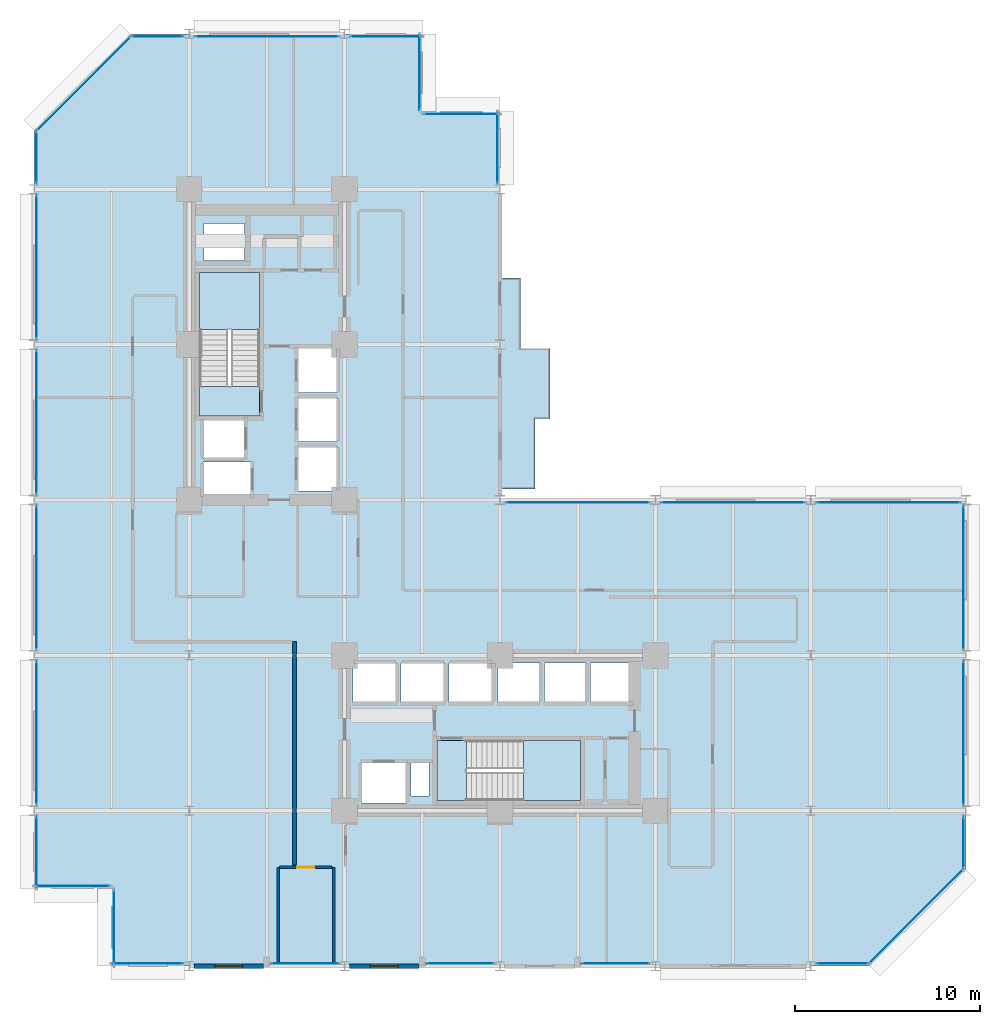
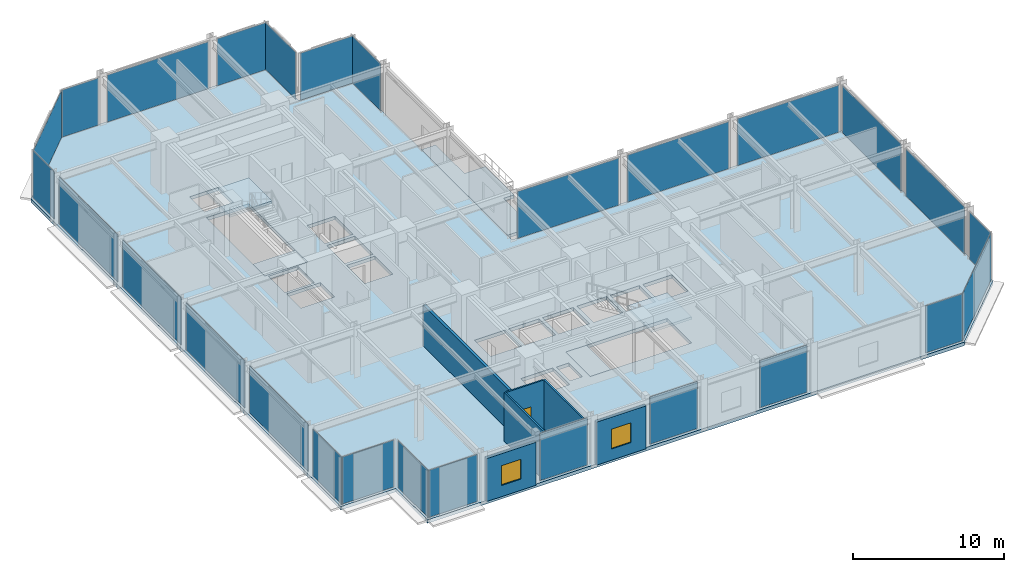
# One storey, part 19 of 25: 27 plates, 6 slabs, 6 walls, 2 windows, 1 door, 3 openings, 29 elements without a shape of their own.
"""IFC4 building model written with IfcOpenShell, lengths in metres."""

from ifc_helpers import new_model, si_unit, direction, frame, frame_2d, origin, origin_2d, place, context, subcontext, project, spatial, polyline, rectangle, outline, extrude, material, layer, layer_set, type_object, element, fill, aggregate, save


model = new_model("IFC4")

# Units and contexts
model_context = context("Model", 3, precision=1e-05, world=origin(), true_north=direction((0.0, 1.0)))
body_context = subcontext(model_context, "Body", "Model", "MODEL_VIEW")
ifc_project = project(units=[si_unit("LENGTHUNIT", "METRE"), si_unit("AREAUNIT", "SQUARE_METRE"), si_unit("VOLUMEUNIT", "CUBIC_METRE"), si_unit("PLANEANGLEUNIT", "RADIAN"), si_unit("MASSUNIT", "GRAM", prefix="KILO")], contexts=[model_context])

# Site, building, storey
site_placement = place(None, origin())
site = spatial("IfcSite", under=ifc_project, at=site_placement, CompositionType="ELEMENT")
building_placement = place(site_placement, origin())
building = spatial("IfcBuilding", under=site, at=building_placement, Name="Nerrivon Quay Data Exchange", CompositionType="ELEMENT")
storey_placement = place(building_placement, frame((0.0, 0.0, 54.199951171875)))
storey = spatial("IfcBuildingStorey", under=building, at=storey_placement, Name="L12", CompositionType="ELEMENT", Elevation=54.199951171875)

# Curtain wall, plate
ifc_material_1 = material(Name="Anodised aluminium 6063-T6", Category="aluminium")
ifc_layer_1 = layer(ifc_material_1, 0.219970703125)
ifc_layer_set_1 = layer_set([ifc_layer_1], Name="Anodised aluminium 6063-T6")
curtain_wall_type = type_object("IfcCurtainWallType", Name="CW-SYS-01", PredefinedType="NOTDEFINED", material=ifc_layer_set_1)
curtain_wall_1_placement = place(storey_placement, origin())
curtain_wall_1 = element("IfcCurtainWall", 1, at=curtain_wall_1_placement, inside=storey, type_object=curtain_wall_type, Name="L12 Unitised Curtain Wall 1", PredefinedType="NOTDEFINED")
ifc_material_2 = material(Name="Double-glazed low-E solar control glass", Category="glass")
ifc_layer_2 = layer(ifc_material_2, 0.028076171875)
ifc_layer_set_2 = layer_set([ifc_layer_2], Name="Double-glazed low-E solar control glass")
plate_type = type_object("IfcPlateType", Name="CWP-GLZ-28", PredefinedType="CURTAIN_PANEL", material=ifc_layer_set_2)
plate_1_placement = place(storey_placement, frame((47.700927734375, 2.698974609375, 0.065185546875), z_axis=(0.0, 0.0, 1.0), x_axis=(-0.707106781187, -0.707106781187, 0.0)))
plate_1 = element("IfcPlate", 2, at=plate_1_placement, type_object=plate_type, Name="CW01 panel 1.1", PredefinedType="CURTAIN_PANEL", context=body_context, shape_type="SweptSolid", body=[
    extrude(rectangle(XDim=7.203857421875, YDim=0.028076171875, at=origin_2d()), origin(), (0.0, 0.0, 1.0), 3.794921875),
])
aggregate(curtain_wall_1, [plate_1])

curtain_wall_2_placement = place(storey_placement, origin())
curtain_wall_2 = element("IfcCurtainWall", 3, at=curtain_wall_2_placement, inside=storey, type_object=curtain_wall_type, Name="L12 Unitised Curtain Wall 2", PredefinedType="NOTDEFINED")
plate_2_placement = place(storey_placement, frame((43.72509765625, 0.139892578125, 0.065185546875), z_axis=(0.0, 0.0, 1.0), x_axis=(-1.0, 0.0, 0.0)))
plate_2 = element("IfcPlate", 4, at=plate_2_placement, type_object=plate_type, Name="CW01 panel 1.1", PredefinedType="CURTAIN_PANEL", context=body_context, shape_type="SweptSolid", body=[
    extrude(rectangle(XDim=2.800048828125, YDim=0.028076171875, at=origin_2d()), origin(), (0.0, 0.0, 1.0), 3.794921875),
])
aggregate(curtain_wall_2, [plate_2])

curtain_wall_3_placement = place(storey_placement, origin())
curtain_wall_3 = element("IfcCurtainWall", 5, at=curtain_wall_3_placement, inside=storey, type_object=curtain_wall_type, Name="L12 Unitised Curtain Wall 4", PredefinedType="NOTDEFINED")
plate_3_placement = place(storey_placement, frame((31.46240234375, 0.139892578125, 0.065185546875), z_axis=(0.0, 0.0, 1.0), x_axis=(-1.0, 0.0, 0.0)))
plate_3 = element("IfcPlate", 6, at=plate_3_placement, type_object=plate_type, Name="CW01 panel 1.1", PredefinedType="CURTAIN_PANEL", context=body_context, shape_type="SweptSolid", body=[
    extrude(rectangle(XDim=3.625, YDim=0.028076171875, at=origin_2d()), origin(), (0.0, 0.0, 1.0), 3.794921875),
])
aggregate(curtain_wall_3, [plate_3])

curtain_wall_4_placement = place(storey_placement, origin())
curtain_wall_4 = element("IfcCurtainWall", 7, at=curtain_wall_4_placement, inside=storey, type_object=curtain_wall_type, Name="L12 Unitised Curtain Wall 6", PredefinedType="NOTDEFINED")
plate_4_placement = place(storey_placement, frame((23.0625, 0.139892578125, 0.065185546875), z_axis=(0.0, 0.0, 1.0), x_axis=(-1.0, 0.0, 0.0)))
plate_4 = element("IfcPlate", 8, at=plate_4_placement, type_object=plate_type, Name="CW01 panel 1.1", PredefinedType="CURTAIN_PANEL", context=body_context, shape_type="SweptSolid", body=[
    extrude(rectangle(XDim=3.625, YDim=0.028076171875, at=origin_2d()), origin(), (0.0, 0.0, 1.0), 3.794921875),
])
aggregate(curtain_wall_4, [plate_4])

curtain_wall_5_placement = place(storey_placement, origin())
curtain_wall_5 = element("IfcCurtainWall", 9, at=curtain_wall_5_placement, inside=storey, type_object=curtain_wall_type, Name="L12 Unitised Curtain Wall 8", PredefinedType="NOTDEFINED")
plate_5_placement = place(storey_placement, frame((14.66259765625, 0.139892578125, 0.065185546875), z_axis=(0.0, 0.0, 1.0), x_axis=(-1.0, 0.0, 0.0)))
plate_5 = element("IfcPlate", 10, at=plate_5_placement, type_object=plate_type, Name="CW01 panel 1.1", PredefinedType="CURTAIN_PANEL", context=body_context, shape_type="SweptSolid", body=[
    extrude(rectangle(XDim=3.625, YDim=0.028076171875, at=origin_2d()), origin(), (0.0, 0.0, 1.0), 3.794921875),
])
aggregate(curtain_wall_5, [plate_5])

curtain_wall_6_placement = place(storey_placement, origin())
curtain_wall_6 = element("IfcCurtainWall", 11, at=curtain_wall_6_placement, inside=storey, type_object=curtain_wall_type, Name="L12 Unitised Curtain Wall 10", PredefinedType="NOTDEFINED")
plate_6_placement = place(storey_placement, frame((6.175048828125, 0.139892578125, 0.065185546875), z_axis=(0.0, 0.0, 1.0), x_axis=(-1.0, 0.0, 0.0)))
plate_6 = element("IfcPlate", 12, at=plate_6_placement, type_object=plate_type, Name="CW01 panel 1.1", PredefinedType="CURTAIN_PANEL", context=body_context, shape_type="SweptSolid", body=[
    extrude(rectangle(XDim=3.800048828125, YDim=0.028076171875, at=origin_2d()), origin(), (0.0, 0.0, 1.0), 3.794921875),
])
aggregate(curtain_wall_6, [plate_6])

curtain_wall_7_placement = place(storey_placement, origin())
curtain_wall_7 = element("IfcCurtainWall", 13, at=curtain_wall_7_placement, inside=storey, type_object=curtain_wall_type, Name="L12 Unitised Curtain Wall 11", PredefinedType="NOTDEFINED")
plate_7_placement = place(storey_placement, frame((4.340087890625, 2.10009765625, 0.065185546875), z_axis=(0.0, 0.0, 1.0), x_axis=(0.0, 1.0, 0.0)))
plate_7 = element("IfcPlate", 14, at=plate_7_placement, type_object=plate_type, Name="CW01 panel 1.1", PredefinedType="CURTAIN_PANEL", context=body_context, shape_type="SweptSolid", body=[
    extrude(rectangle(XDim=4.050048828125, YDim=0.028076171875, at=origin_2d()), origin(), (0.0, 0.0, 1.0), 3.794921875),
])
aggregate(curtain_wall_7, [plate_7])

curtain_wall_8_placement = place(storey_placement, origin())
curtain_wall_8 = element("IfcCurtainWall", 15, at=curtain_wall_8_placement, inside=storey, type_object=curtain_wall_type, Name="L12 Unitised Curtain Wall 12", PredefinedType="NOTDEFINED")
plate_8_placement = place(storey_placement, frame((2.10009765625, 4.340087890625, 0.065185546875), z_axis=(0.0, 0.0, 1.0), x_axis=(-1.0, 0.0, 0.0)))
plate_8 = element("IfcPlate", 16, at=plate_8_placement, type_object=plate_type, Name="CW01 panel 1.1", PredefinedType="CURTAIN_PANEL", context=body_context, shape_type="SweptSolid", body=[
    extrude(rectangle(XDim=4.050048828125, YDim=0.028076171875, at=origin_2d()), origin(), (0.0, 0.0, 1.0), 3.794921875),
])
aggregate(curtain_wall_8, [plate_8])

curtain_wall_9_placement = place(storey_placement, origin())
curtain_wall_9 = element("IfcCurtainWall", 17, at=curtain_wall_9_placement, inside=storey, type_object=curtain_wall_type, Name="L12 Unitised Curtain Wall 13", PredefinedType="NOTDEFINED")
plate_9_placement = place(storey_placement, frame((0.139892578125, 6.175048828125, 0.065185546875), z_axis=(0.0, 0.0, 1.0), x_axis=(0.0, 1.0, 0.0)))
plate_9 = element("IfcPlate", 18, at=plate_9_placement, type_object=plate_type, Name="CW01 panel 1.1", PredefinedType="CURTAIN_PANEL", context=body_context, shape_type="SweptSolid", body=[
    extrude(rectangle(XDim=3.800048828125, YDim=0.028076171875, at=origin_2d()), origin(), (0.0, 0.0, 1.0), 3.794921875),
])
aggregate(curtain_wall_9, [plate_9])

curtain_wall_10_placement = place(storey_placement, origin())
curtain_wall_10 = element("IfcCurtainWall", 19, at=curtain_wall_10_placement, inside=storey, type_object=curtain_wall_type, Name="L12 Unitised Curtain Wall 14", PredefinedType="NOTDEFINED")
plate_10_placement = place(storey_placement, frame((0.139892578125, 12.60009765625, 0.065185546875), z_axis=(0.0, 0.0, 1.0), x_axis=(0.0, 1.0, 0.0)))
plate_10 = element("IfcPlate", 20, at=plate_10_placement, type_object=plate_type, Name="CW01 panel 1.1", PredefinedType="CURTAIN_PANEL", context=body_context, shape_type="SweptSolid", body=[
    extrude(rectangle(XDim=7.75, YDim=0.028076171875, at=origin_2d()), origin(), (0.0, 0.0, 1.0), 3.794921875),
])
aggregate(curtain_wall_10, [plate_10])

curtain_wall_11_placement = place(storey_placement, origin())
curtain_wall_11 = element("IfcCurtainWall", 21, at=curtain_wall_11_placement, inside=storey, type_object=curtain_wall_type, Name="L12 Unitised Curtain Wall 15", PredefinedType="NOTDEFINED")
plate_11_placement = place(storey_placement, frame((0.139892578125, 21.0, 0.065185546875), z_axis=(0.0, 0.0, 1.0), x_axis=(0.0, 1.0, 0.0)))
plate_11 = element("IfcPlate", 22, at=plate_11_placement, type_object=plate_type, Name="CW01 panel 1.1", PredefinedType="CURTAIN_PANEL", context=body_context, shape_type="SweptSolid", body=[
    extrude(rectangle(XDim=7.75, YDim=0.028076171875, at=origin_2d()), origin(), (0.0, 0.0, 1.0), 3.794921875),
])
aggregate(curtain_wall_11, [plate_11])

curtain_wall_12_placement = place(storey_placement, origin())
curtain_wall_12 = element("IfcCurtainWall", 23, at=curtain_wall_12_placement, inside=storey, type_object=curtain_wall_type, Name="L12 Unitised Curtain Wall 16", PredefinedType="NOTDEFINED")
plate_12_placement = place(storey_placement, frame((0.139892578125, 29.39990234375, 0.065185546875), z_axis=(0.0, 0.0, 1.0), x_axis=(0.0, 1.0, 0.0)))
plate_12 = element("IfcPlate", 24, at=plate_12_placement, type_object=plate_type, Name="CW01 panel 1.1", PredefinedType="CURTAIN_PANEL", context=body_context, shape_type="SweptSolid", body=[
    extrude(rectangle(XDim=7.75, YDim=0.028076171875, at=origin_2d()), origin(), (0.0, 0.0, 1.0), 3.794921875),
])
aggregate(curtain_wall_12, [plate_12])

curtain_wall_13_placement = place(storey_placement, origin())
curtain_wall_13 = element("IfcCurtainWall", 25, at=curtain_wall_13_placement, inside=storey, type_object=curtain_wall_type, Name="L12 Unitised Curtain Wall 17", PredefinedType="NOTDEFINED")
plate_13_placement = place(storey_placement, frame((0.139892578125, 37.800048828125, 0.065185546875), z_axis=(0.0, 0.0, 1.0), x_axis=(0.0, 1.0, 0.0)))
plate_13 = element("IfcPlate", 26, at=plate_13_placement, type_object=plate_type, Name="CW01 panel 1.1", PredefinedType="CURTAIN_PANEL", context=body_context, shape_type="SweptSolid", body=[
    extrude(rectangle(XDim=7.75, YDim=0.028076171875, at=origin_2d()), origin(), (0.0, 0.0, 1.0), 3.794921875),
])
aggregate(curtain_wall_13, [plate_13])

curtain_wall_14_placement = place(storey_placement, origin())
curtain_wall_14 = element("IfcCurtainWall", 27, at=curtain_wall_14_placement, inside=storey, type_object=curtain_wall_type, Name="L12 Unitised Curtain Wall 18", PredefinedType="NOTDEFINED")
plate_14_placement = place(storey_placement, frame((0.139892578125, 43.72509765625, 0.065185546875), z_axis=(0.0, 0.0, 1.0), x_axis=(0.0, 1.0, 0.0)))
plate_14 = element("IfcPlate", 28, at=plate_14_placement, type_object=plate_type, Name="CW01 panel 1.1", PredefinedType="CURTAIN_PANEL", context=body_context, shape_type="SweptSolid", body=[
    extrude(rectangle(XDim=2.800048828125, YDim=0.028076171875, at=origin_2d()), origin(), (0.0, 0.0, 1.0), 3.794921875),
])
aggregate(curtain_wall_14, [plate_14])

curtain_wall_15_placement = place(storey_placement, origin())
curtain_wall_15 = element("IfcCurtainWall", 29, at=curtain_wall_15_placement, inside=storey, type_object=curtain_wall_type, Name="L12 Unitised Curtain Wall 19", PredefinedType="NOTDEFINED")
plate_15_placement = place(storey_placement, frame((2.698974609375, 47.700927734375, 0.065185546875), z_axis=(0.0, 0.0, 1.0), x_axis=(0.707106781187, 0.707106781187, 0.0)))
plate_15 = element("IfcPlate", 30, at=plate_15_placement, type_object=plate_type, Name="CW01 panel 1.1", PredefinedType="CURTAIN_PANEL", context=body_context, shape_type="SweptSolid", body=[
    extrude(rectangle(XDim=7.203857421875, YDim=0.028076171875, at=origin_2d()), origin(), (0.0, 0.0, 1.0), 3.794921875),
])
aggregate(curtain_wall_15, [plate_15])

curtain_wall_16_placement = place(storey_placement, origin())
curtain_wall_16 = element("IfcCurtainWall", 31, at=curtain_wall_16_placement, inside=storey, type_object=curtain_wall_type, Name="L12 Unitised Curtain Wall 20", PredefinedType="NOTDEFINED")
plate_16_placement = place(storey_placement, frame((6.675048828125, 50.260009765625, 0.065185546875), z_axis=(0.0, 0.0, 1.0), x_axis=(1.0, 0.0, 0.0)))
plate_16 = element("IfcPlate", 32, at=plate_16_placement, type_object=plate_type, Name="CW01 panel 1.1", PredefinedType="CURTAIN_PANEL", context=body_context, shape_type="SweptSolid", body=[
    extrude(rectangle(XDim=2.800048828125, YDim=0.028076171875, at=origin_2d()), origin(), (0.0, 0.0, 1.0), 3.794921875),
])
aggregate(curtain_wall_16, [plate_16])

curtain_wall_17_placement = place(storey_placement, origin())
curtain_wall_17 = element("IfcCurtainWall", 33, at=curtain_wall_17_placement, inside=storey, type_object=curtain_wall_type, Name="L12 Unitised Curtain Wall 21", PredefinedType="NOTDEFINED")
plate_17_placement = place(storey_placement, frame((12.60009765625, 50.260009765625, 0.065185546875), z_axis=(0.0, 0.0, 1.0), x_axis=(1.0, 0.0, 0.0)))
plate_17 = element("IfcPlate", 34, at=plate_17_placement, type_object=plate_type, Name="CW01 panel 1.1", PredefinedType="CURTAIN_PANEL", context=body_context, shape_type="SweptSolid", body=[
    extrude(rectangle(XDim=7.75, YDim=0.028076171875, at=origin_2d()), origin(), (0.0, 0.0, 1.0), 3.794921875),
])
aggregate(curtain_wall_17, [plate_17])

curtain_wall_18_placement = place(storey_placement, origin())
curtain_wall_18 = element("IfcCurtainWall", 35, at=curtain_wall_18_placement, inside=storey, type_object=curtain_wall_type, Name="L12 Unitised Curtain Wall 22", PredefinedType="NOTDEFINED")
plate_18_placement = place(storey_placement, frame((19.02490234375, 50.260009765625, 0.065185546875), z_axis=(0.0, 0.0, 1.0), x_axis=(1.0, 0.0, 0.0)))
plate_18 = element("IfcPlate", 36, at=plate_18_placement, type_object=plate_type, Name="CW01 panel 1.1", PredefinedType="CURTAIN_PANEL", context=body_context, shape_type="SweptSolid", body=[
    extrude(rectangle(XDim=3.800048828125, YDim=0.028076171875, at=origin_2d()), origin(), (0.0, 0.0, 1.0), 3.794921875),
])
aggregate(curtain_wall_18, [plate_18])

curtain_wall_19_placement = place(storey_placement, origin())
curtain_wall_19 = element("IfcCurtainWall", 37, at=curtain_wall_19_placement, inside=storey, type_object=curtain_wall_type, Name="L12 Unitised Curtain Wall 23", PredefinedType="NOTDEFINED")
plate_19_placement = place(storey_placement, frame((20.860107421875, 48.300048828125, 0.065185546875), z_axis=(0.0, 0.0, 1.0), x_axis=(0.0, -1.0, 0.0)))
plate_19 = element("IfcPlate", 38, at=plate_19_placement, type_object=plate_type, Name="CW01 panel 1.1", PredefinedType="CURTAIN_PANEL", context=body_context, shape_type="SweptSolid", body=[
    extrude(rectangle(XDim=4.050048828125, YDim=0.028076171875, at=origin_2d()), origin(), (0.0, 0.0, 1.0), 3.794921875),
])
aggregate(curtain_wall_19, [plate_19])

curtain_wall_20_placement = place(storey_placement, origin())
curtain_wall_20 = element("IfcCurtainWall", 39, at=curtain_wall_20_placement, inside=storey, type_object=curtain_wall_type, Name="L12 Unitised Curtain Wall 24", PredefinedType="NOTDEFINED")
plate_20_placement = place(storey_placement, frame((23.10009765625, 46.06005859375, 0.065185546875), z_axis=(0.0, 0.0, 1.0), x_axis=(1.0, 0.0, 0.0)))
plate_20 = element("IfcPlate", 40, at=plate_20_placement, type_object=plate_type, Name="CW01 panel 1.1", PredefinedType="CURTAIN_PANEL", context=body_context, shape_type="SweptSolid", body=[
    extrude(rectangle(XDim=4.050048828125, YDim=0.028076171875, at=origin_2d()), origin(), (0.0, 0.0, 1.0), 3.794921875),
])
aggregate(curtain_wall_20, [plate_20])

curtain_wall_21_placement = place(storey_placement, origin())
curtain_wall_21 = element("IfcCurtainWall", 41, at=curtain_wall_21_placement, inside=storey, type_object=curtain_wall_type, Name="L12 Unitised Curtain Wall 25", PredefinedType="NOTDEFINED")
plate_21_placement = place(storey_placement, frame((25.06005859375, 44.22509765625, 0.065185546875), z_axis=(0.0, 0.0, 1.0), x_axis=(0.0, -1.0, 0.0)))
plate_21 = element("IfcPlate", 42, at=plate_21_placement, type_object=plate_type, Name="CW01 panel 1.1", PredefinedType="CURTAIN_PANEL", context=body_context, shape_type="SweptSolid", body=[
    extrude(rectangle(XDim=3.800048828125, YDim=0.028076171875, at=origin_2d()), origin(), (0.0, 0.0, 1.0), 3.794921875),
])
aggregate(curtain_wall_21, [plate_21])

curtain_wall_22_placement = place(storey_placement, origin())
curtain_wall_22 = element("IfcCurtainWall", 43, at=curtain_wall_22_placement, inside=storey, type_object=curtain_wall_type, Name="L12 Unitised Curtain Wall 28", PredefinedType="NOTDEFINED")
plate_22_placement = place(storey_placement, frame((29.39990234375, 25.06005859375, 0.065185546875), z_axis=(0.0, 0.0, 1.0), x_axis=(1.0, 0.0, 0.0)))
plate_22 = element("IfcPlate", 44, at=plate_22_placement, type_object=plate_type, Name="CW01 panel 1.1", PredefinedType="CURTAIN_PANEL", context=body_context, shape_type="SweptSolid", body=[
    extrude(rectangle(XDim=7.75, YDim=0.028076171875, at=origin_2d()), origin(), (0.0, 0.0, 1.0), 3.794921875),
])
aggregate(curtain_wall_22, [plate_22])

curtain_wall_23_placement = place(storey_placement, origin())
curtain_wall_23 = element("IfcCurtainWall", 45, at=curtain_wall_23_placement, inside=storey, type_object=curtain_wall_type, Name="L12 Unitised Curtain Wall 29", PredefinedType="NOTDEFINED")
plate_23_placement = place(storey_placement, frame((37.800048828125, 25.06005859375, 0.065185546875), z_axis=(0.0, 0.0, 1.0), x_axis=(1.0, 0.0, 0.0)))
plate_23 = element("IfcPlate", 46, at=plate_23_placement, type_object=plate_type, Name="CW01 panel 1.1", PredefinedType="CURTAIN_PANEL", context=body_context, shape_type="SweptSolid", body=[
    extrude(rectangle(XDim=7.75, YDim=0.028076171875, at=origin_2d()), origin(), (0.0, 0.0, 1.0), 3.794921875),
])
aggregate(curtain_wall_23, [plate_23])

curtain_wall_24_placement = place(storey_placement, origin())
curtain_wall_24 = element("IfcCurtainWall", 47, at=curtain_wall_24_placement, inside=storey, type_object=curtain_wall_type, Name="L12 Unitised Curtain Wall 30", PredefinedType="NOTDEFINED")
plate_24_placement = place(storey_placement, frame((46.199951171875, 25.06005859375, 0.065185546875), z_axis=(0.0, 0.0, 1.0), x_axis=(1.0, 0.0, 0.0)))
plate_24 = element("IfcPlate", 48, at=plate_24_placement, type_object=plate_type, Name="CW01 panel 1.1", PredefinedType="CURTAIN_PANEL", context=body_context, shape_type="SweptSolid", body=[
    extrude(rectangle(XDim=7.75, YDim=0.028076171875, at=origin_2d()), origin(), (0.0, 0.0, 1.0), 3.794921875),
])
aggregate(curtain_wall_24, [plate_24])

curtain_wall_25_placement = place(storey_placement, origin())
curtain_wall_25 = element("IfcCurtainWall", 49, at=curtain_wall_25_placement, inside=storey, type_object=curtain_wall_type, Name="L12 Unitised Curtain Wall 31", PredefinedType="NOTDEFINED")
plate_25_placement = place(storey_placement, frame((50.260009765625, 21.0, 0.065185546875), z_axis=(0.0, 0.0, 1.0), x_axis=(0.0, -1.0, 0.0)))
plate_25 = element("IfcPlate", 50, at=plate_25_placement, type_object=plate_type, Name="CW01 panel 1.1", PredefinedType="CURTAIN_PANEL", context=body_context, shape_type="SweptSolid", body=[
    extrude(rectangle(XDim=7.75, YDim=0.028076171875, at=origin_2d()), origin(), (0.0, 0.0, 1.0), 3.794921875),
])
aggregate(curtain_wall_25, [plate_25])

curtain_wall_26_placement = place(storey_placement, origin())
curtain_wall_26 = element("IfcCurtainWall", 51, at=curtain_wall_26_placement, inside=storey, type_object=curtain_wall_type, Name="L12 Unitised Curtain Wall 32", PredefinedType="NOTDEFINED")
plate_26_placement = place(storey_placement, frame((50.260009765625, 12.60009765625, 0.065185546875), z_axis=(0.0, 0.0, 1.0), x_axis=(0.0, -1.0, 0.0)))
plate_26 = element("IfcPlate", 52, at=plate_26_placement, type_object=plate_type, Name="CW01 panel 1.1", PredefinedType="CURTAIN_PANEL", context=body_context, shape_type="SweptSolid", body=[
    extrude(rectangle(XDim=7.75, YDim=0.028076171875, at=origin_2d()), origin(), (0.0, 0.0, 1.0), 3.794921875),
])
aggregate(curtain_wall_26, [plate_26])

curtain_wall_27_placement = place(storey_placement, origin())
curtain_wall_27 = element("IfcCurtainWall", 53, at=curtain_wall_27_placement, inside=storey, type_object=curtain_wall_type, Name="L12 Unitised Curtain Wall 33", PredefinedType="NOTDEFINED")
plate_27_placement = place(storey_placement, frame((50.260009765625, 6.675048828125, 0.065185546875), z_axis=(0.0, 0.0, 1.0), x_axis=(0.0, -1.0, 0.0)))
plate_27 = element("IfcPlate", 54, at=plate_27_placement, type_object=plate_type, Name="CW01 panel 1.1", PredefinedType="CURTAIN_PANEL", context=body_context, shape_type="SweptSolid", body=[
    extrude(rectangle(XDim=2.800048828125, YDim=0.028076171875, at=origin_2d()), origin(), (0.0, 0.0, 1.0), 3.794921875),
])
aggregate(curtain_wall_27, [plate_27])

# Slab
ifc_material_3 = material(Name="Precast white architectural concrete N50 (50 MPa)", Category="concrete")
ifc_layer_3 = layer(ifc_material_3, 0.25)
ifc_layer_set_3 = layer_set([ifc_layer_3], Name="Precast white architectural concrete N50 (50 MPa)")
slab_type_1 = type_object("IfcSlabType", Name="SLB-BAL-250", PredefinedType="FLOOR", material=ifc_layer_set_3)
slab_1_placement = place(storey_placement, frame((0.0, 0.0, -0.25)))
element("IfcSlab", 55, at=slab_1_placement, inside=storey, type_object=slab_type_1, Name="L12 Waterfront Subtropical Verandah", PredefinedType="FLOOR", context=body_context, shape_type="SweptSolid", body=[
    extrude(outline(polyline([(27.10009765625, 29.60009765625), (27.89990234375, 29.60009765625), (27.89990234375, 33.39990234375), (26.300048828125, 33.39990234375), (26.300048828125, 37.199951171875), (25.199951171875, 37.199951171875), (25.199951171875, 33.39990234375), (25.199951171875, 29.60009765625), (25.199951171875, 25.800048828125), (27.10009765625, 25.800048828125), (27.10009765625, 29.60009765625)])), origin(), (0.0, 0.0, 1.0), 0.25),
])

# Stair, slab
ifc_material_4 = material(Name="Concrete N50 (50 MPa)", Category="concrete")
stair_type = type_object("IfcStairType", Name="STAIR-DOG-42", PredefinedType="HALF_TURN_STAIR", material=ifc_material_4)
stair_1_placement = place(storey_placement, origin())
stair_1 = element("IfcStair", 56, at=stair_1_placement, inside=storey, type_object=stair_type, Name="L12 West Core Fire Stair ST01", PredefinedType="HALF_TURN_STAIR")
ifc_layer_4 = layer(ifc_material_4, 0.199951171875)
ifc_layer_set_4 = layer_set([ifc_layer_4], Name="Concrete N50 (50 MPa)")
slab_type_2 = type_object("IfcSlabType", Name="SLB-LAND-200", PredefinedType="LANDING", material=ifc_layer_set_4)
slab_2_placement = place(storey_placement, frame((0.0, 0.0, 1.900146484375)))
slab_2 = element("IfcSlab", 57, at=slab_2_placement, type_object=slab_type_2, Name="ST01 landing 1", PredefinedType="LANDING", context=body_context, shape_type="SweptSolid", body=[
    extrude(outline(polyline([(12.199951171875, 34.409912109375), (12.199951171875, 37.5), (8.949951171875, 37.5), (8.949951171875, 34.409912109375), (12.199951171875, 34.409912109375)])), origin(), (0.0, 0.0, 1.0), 0.199951171875),
])
aggregate(stair_1, [slab_2])

# Slab
slab_3_placement = place(storey_placement, frame((0.0, 0.0, -0.199951171875)))
element("IfcSlab", 58, at=slab_3_placement, inside=storey, type_object=slab_type_2, Name="L12 ST01 floor landing", PredefinedType="LANDING", context=body_context, shape_type="SweptSolid", body=[
    extrude(outline(polyline([(12.199951171875, 29.75), (12.199951171875, 31.330078125), (8.949951171875, 31.330078125), (8.949951171875, 29.75), (12.199951171875, 29.75)])), origin(), (0.0, 0.0, 1.0), 0.199951171875),
])

# Stair, slab
stair_2_placement = place(storey_placement, origin())
stair_2 = element("IfcStair", 59, at=stair_2_placement, inside=storey, type_object=stair_type, Name="L12 East Core Fire Stair ST02", PredefinedType="HALF_TURN_STAIR")
slab_4_placement = place(storey_placement, frame((0.0, 0.0, 1.900146484375)))
slab_4 = element("IfcSlab", 60, at=slab_4_placement, type_object=slab_type_2, Name="ST02 landing 1", PredefinedType="LANDING", context=body_context, shape_type="SweptSolid", body=[
    extrude(outline(polyline([(26.4599609375, 8.949951171875), (29.550048828125, 8.949951171875), (29.550048828125, 12.199951171875), (26.4599609375, 12.199951171875), (26.4599609375, 8.949951171875)])), origin(), (0.0, 0.0, 1.0), 0.199951171875),
])
aggregate(stair_2, [slab_4])

# Slabs
slab_5_placement = place(storey_placement, frame((0.0, 0.0, -0.199951171875)))
element("IfcSlab", 61, at=slab_5_placement, inside=storey, type_object=slab_type_2, Name="L12 ST02 floor landing", PredefinedType="LANDING", context=body_context, shape_type="SweptSolid", body=[
    extrude(outline(polyline([(21.800048828125, 8.949951171875), (23.3798828125, 8.949951171875), (23.3798828125, 12.199951171875), (21.800048828125, 12.199951171875), (21.800048828125, 8.949951171875)])), origin(), (0.0, 0.0, 1.0), 0.199951171875),
])
ifc_layer_5 = layer(ifc_material_4, 0.27490234375)
ifc_layer_set_5 = layer_set([ifc_layer_5], Name="Concrete N50 (50 MPa)")
slab_type_3 = type_object("IfcSlabType", Name="SLB-TOW-275", PredefinedType="FLOOR", material=ifc_layer_set_5)
slab_6_placement = place(storey_placement, frame((0.0, 0.0, -0.27490234375)))
element("IfcSlab", 62, at=slab_6_placement, inside=storey, type_object=slab_type_3, Name="L12 Primary Structural Slab", PredefinedType="FLOOR", context=body_context, shape_type="SweptSolid", body=[
    extrude(outline(polyline([(50.39990234375, 25.199951171875), (25.199951171875, 25.199951171875), (25.199951171875, 46.199951171875), (21.0, 46.199951171875), (21.0, 50.39990234375), (5.199951171875, 50.39990234375), (0.0, 45.199951171875), (0.0, 4.199951171875), (4.199951171875, 4.199951171875), (4.199951171875, 0.0), (45.199951171875, 0.0), (50.39990234375, 5.199951171875), (50.39990234375, 25.199951171875)]), holes=[polyline([(8.949951171875, 29.75), (8.949951171875, 37.5), (12.199951171875, 37.5), (12.199951171875, 29.75), (8.949951171875, 29.75)]), polyline([(21.800048828125, 12.199951171875), (29.550048828125, 12.199951171875), (29.550048828125, 8.949951171875), (21.800048828125, 8.949951171875), (21.800048828125, 12.199951171875)]), polyline([(30.10009765625, 16.39990234375), (32.35009765625, 16.39990234375), (32.35009765625, 14.25), (30.10009765625, 14.25), (30.10009765625, 16.39990234375)]), polyline([(27.60009765625, 16.39990234375), (29.85009765625, 16.39990234375), (29.85009765625, 14.25), (27.60009765625, 14.25), (27.60009765625, 16.39990234375)]), polyline([(25.10009765625, 16.39990234375), (27.35009765625, 16.39990234375), (27.35009765625, 14.25), (25.10009765625, 14.25), (25.10009765625, 16.39990234375)]), polyline([(22.449951171875, 16.39990234375), (24.800048828125, 16.39990234375), (24.800048828125, 14.25), (22.449951171875, 14.25), (22.449951171875, 16.39990234375)]), polyline([(19.85009765625, 16.39990234375), (22.199951171875, 16.39990234375), (22.199951171875, 14.25), (19.85009765625, 14.25), (19.85009765625, 16.39990234375)]), polyline([(20.39990234375, 11.0), (21.35009765625, 11.0), (21.35009765625, 9.199951171875), (20.39990234375, 9.199951171875), (20.39990234375, 11.0)]), polyline([(17.699951171875, 8.830078125), (17.699951171875, 11.030029296875), (20.14990234375, 11.030029296875), (20.14990234375, 8.830078125), (17.699951171875, 8.830078125)]), polyline([(17.25, 14.25), (17.25, 16.39990234375), (19.60009765625, 16.39990234375), (19.60009765625, 14.25), (17.25, 14.25)]), polyline([(14.25, 28.10009765625), (16.39990234375, 28.10009765625), (16.39990234375, 25.699951171875), (14.25, 25.699951171875), (14.25, 28.10009765625)]), polyline([(14.25, 30.75), (16.39990234375, 30.75), (16.39990234375, 28.35009765625), (14.25, 28.35009765625), (14.25, 30.75)]), polyline([(14.25, 33.39990234375), (16.39990234375, 33.39990234375), (16.39990234375, 31.0), (14.25, 31.0), (14.25, 33.39990234375)]), polyline([(9.14990234375, 27.25), (11.75, 27.25), (11.75, 25.35009765625), (9.14990234375, 25.35009765625), (9.14990234375, 27.25)]), polyline([(9.14990234375, 29.60009765625), (11.39990234375, 29.60009765625), (11.39990234375, 27.449951171875), (9.14990234375, 27.449951171875), (9.14990234375, 29.60009765625)]), polyline([(9.199951171875, 40.14990234375), (11.39990234375, 40.14990234375), (11.39990234375, 38.14990234375), (9.199951171875, 38.14990234375), (9.199951171875, 40.14990234375)])]), origin(), (0.0, 0.0, 1.0), 0.27490234375),
])

# Wall, opening, window
ifc_material_5 = material(Name="Architectural terracotta precast concrete N50 (50 MPa)", Category="masonry")
ifc_layer_6 = layer(ifc_material_5, 0.239990234375)
ifc_layer_set_6 = layer_set([ifc_layer_6], Name="Architectural terracotta precast concrete N50 (50 MPa)")
wall_type_1 = type_object("IfcWallType", Name="EW-PREC-240", PredefinedType="STANDARD", material=ifc_layer_set_6)
wall_1_placement = place(storey_placement, frame((20.824951171875, 0.0, 0.0), z_axis=(0.0, 0.0, 1.0), x_axis=(-1.0, 0.0, 0.0)))
wall_1 = element("IfcWall", 63, at=wall_1_placement, inside=storey, type_object=wall_type_1, Name="L12 Podium Precast Spandrel Wall 7", PredefinedType="STANDARD", context=body_context, shape_type="SweptSolid", body=[
    extrude(rectangle(XDim=3.77490234375, YDim=0.239990234375, at=frame_2d((1.887451171875, 0.0))), origin(), (0.0, 0.0, 1.0), 3.470947265625),
])
opening_1_placement = place(wall_1_placement, frame((1.137451171875, 0.0, 0.89990234375)))
opening_1 = element("IfcOpeningElement", 64, at=opening_1_placement, cuts=wall_1, Name="Opening WN4", PredefinedType="OPENING", context=body_context, shape_type="SweptSolid", body=[
    extrude(rectangle(XDim=1.5, YDim=1.60009765625, at=frame_2d((0.75, 0.800048828125))), frame((0.0, 0.1298828125, 0.0), z_axis=(0.0, -1.0, 0.0), x_axis=(1.0, 0.0, 0.0)), (0.0, 0.0, 1.0), 0.260009765625),
])
window_type = type_object("IfcWindowType", Name="WIN-W4-1500x1600", PartitioningType="SINGLE_PANEL", PredefinedType="WINDOW", material=ifc_material_2)
window_1_placement = place(opening_1_placement, origin())
window_1 = element("IfcWindow", 65, at=window_1_placement, inside=storey, type_object=window_type, Name="L12 Solar Facade Window 7", OverallHeight=1.60009765625, OverallWidth=1.5, PartitioningType="SINGLE_PANEL", PredefinedType="WINDOW", context=body_context, shape_type="SweptSolid", body=[
    extrude(rectangle(XDim=1.5, YDim=1.60009765625, at=frame_2d((0.75, 0.800048828125))), frame((0.0, 0.030029296875, 0.0), z_axis=(0.0, -1.0, 0.0), x_axis=(1.0, 0.0, 0.0)), (0.0, 0.0, 1.0), 0.06005859375),
])
fill(opening_1, window_1)

wall_2_placement = place(storey_placement, frame((12.425048828125, 0.0, 0.0), z_axis=(0.0, 0.0, 1.0), x_axis=(-1.0, 0.0, 0.0)))
wall_2 = element("IfcWall", 66, at=wall_2_placement, inside=storey, type_object=wall_type_1, Name="L12 Podium Precast Spandrel Wall 9", PredefinedType="STANDARD", context=body_context, shape_type="SweptSolid", body=[
    extrude(rectangle(XDim=3.775146484375, YDim=0.239990234375, at=frame_2d((1.8876953125, 0.0))), origin(), (0.0, 0.0, 1.0), 3.470947265625),
])
opening_2_placement = place(wall_2_placement, frame((1.137451171875, 0.0, 0.89990234375)))
opening_2 = element("IfcOpeningElement", 67, at=opening_2_placement, cuts=wall_2, Name="Opening WN4", PredefinedType="OPENING", context=body_context, shape_type="SweptSolid", body=[
    extrude(rectangle(XDim=1.5, YDim=1.60009765625, at=frame_2d((0.75, 0.800048828125))), frame((0.0, 0.1298828125, 0.0), z_axis=(0.0, -1.0, 0.0), x_axis=(1.0, 0.0, 0.0)), (0.0, 0.0, 1.0), 0.260009765625),
])
window_2_placement = place(opening_2_placement, origin())
window_2 = element("IfcWindow", 68, at=window_2_placement, inside=storey, type_object=window_type, Name="L12 Solar Facade Window 9", OverallHeight=1.60009765625, OverallWidth=1.5, PartitioningType="SINGLE_PANEL", PredefinedType="WINDOW", context=body_context, shape_type="SweptSolid", body=[
    extrude(rectangle(XDim=1.5, YDim=1.60009765625, at=frame_2d((0.75, 0.800048828125))), frame((0.0, 0.030029296875, 0.0), z_axis=(0.0, -1.0, 0.0), x_axis=(1.0, 0.0, 0.0)), (0.0, 0.0, 1.0), 0.06005859375),
])
fill(opening_2, window_2)

# Wall
ifc_material_6 = material(Name="Gypsum plasterboard on cold-formed framing", Category="gypsum")
ifc_layer_7 = layer(ifc_material_6, 0.199951171875)
ifc_layer_set_7 = layer_set([ifc_layer_7], Name="Gypsum plasterboard on cold-formed framing")
wall_type_2 = type_object("IfcWallType", Name="WALL-FW-200", PredefinedType="PARTITIONING", material=ifc_layer_set_7)
wall_3_placement = place(storey_placement, frame((14.090087890625, 5.4599609375, 0.0), z_axis=(0.0, 0.0, 1.0), x_axis=(0.0, 1.0, 0.0)))
element("IfcWall", 69, at=wall_3_placement, inside=storey, type_object=wall_type_2, Name="L12 Partition Colocation Data Workspace 1", PredefinedType="PARTITIONING", context=body_context, shape_type="SweptSolid", body=[
    extrude(rectangle(XDim=12.080078125, YDim=0.199951171875, at=frame_2d((6.0400390625, 0.0))), origin(), (0.0, 0.0, 1.0), 3.31298828125),
])

# Wall, opening, door
ifc_layer_8 = layer(ifc_material_6, 0.1201171875)
ifc_layer_set_8 = layer_set([ifc_layer_8], Name="Gypsum plasterboard on cold-formed framing")
wall_type_3 = type_object("IfcWallType", Name="WALL-PT-120", PredefinedType="PARTITIONING", material=ifc_layer_set_8)
wall_4_placement = place(storey_placement, frame((16.12841796875, 5.340087890625, 0.0), z_axis=(0.0, 0.0, 1.0), x_axis=(-1.0, 0.0, 0.0)))
wall_4 = element("IfcWall", 70, at=wall_4_placement, inside=storey, type_object=wall_type_3, Name="L12 Partition Accessible Toilet", PredefinedType="PARTITIONING", context=body_context, shape_type="SweptSolid", body=[
    extrude(rectangle(XDim=2.85693359375, YDim=0.1201171875, at=frame_2d((1.428466796875, 0.0))), origin(), (0.0, 0.0, 1.0), 3.925048828125),
])
opening_3_placement = place(wall_4_placement, frame((0.968505859375, 0.0, 0.0)))
opening_3 = element("IfcOpeningElement", 71, at=opening_3_placement, cuts=wall_4, Name="Opening D-WC", PredefinedType="OPENING", context=body_context, shape_type="SweptSolid", body=[
    extrude(rectangle(XDim=0.919921875, YDim=2.10009765625, at=frame_2d((0.4599609375, 1.050048828125))), frame((0.0, 0.070068359375, 0.0), z_axis=(0.0, -1.0, 0.0), x_axis=(1.0, 0.0, 0.0)), (0.0, 0.0, 1.0), 0.14013671875),
])
ifc_material_7 = material(Name="Engineered hardwood timber", Category="wood")
door_type = type_object("IfcDoorType", Name="DR-WC-920", OperationType="NOTDEFINED", PredefinedType="DOOR", material=ifc_material_7)
door_placement = place(opening_3_placement, origin())
door = element("IfcDoor", 72, at=door_placement, inside=storey, type_object=door_type, Name="L12 Door Accessible Toilet", OperationType="SINGLE_SWING_RIGHT", OverallHeight=2.10009765625, OverallWidth=0.919921875, PredefinedType="DOOR", context=body_context, shape_type="SweptSolid", body=[
    extrude(rectangle(XDim=0.919921875, YDim=2.10009765625, at=frame_2d((0.4599609375, 1.050048828125))), frame((0.0, 0.02490234375, 0.0), z_axis=(0.0, -1.0, 0.0), x_axis=(1.0, 0.0, 0.0)), (0.0, 0.0, 1.0), 0.050048828125),
])
fill(opening_3, door)

# Walls
ifc_layer_9 = layer(ifc_material_6, 0.135009765625)
ifc_layer_set_9 = layer_set([ifc_layer_9], Name="Gypsum plasterboard on cold-formed framing")
wall_type_4 = type_object("IfcWallType", Name="WALL-PT-135", PredefinedType="PARTITIONING", material=ifc_layer_set_9)
for number, where, z_axis, x_axis, name in (
    (73, (13.199951171875, 5.340087890625, 0.0), (0.0, 0.0, 1.0), (0.0, -1.0, 0.0), "L12 Partition Accessible Toilet"),
    (74, (16.199951171875, 0.1689453125, 0.0), (0.0, 0.0, 1.0), (0.0, 1.0, 0.0), "L12 Partition Accessible Toilet"),
):
    element("IfcWall", number, at=place(storey_placement, frame(where, z_axis=z_axis, x_axis=x_axis)), inside=storey, type_object=wall_type_4, Name=name, PredefinedType="PARTITIONING", context=body_context, shape_type="SweptSolid", body=[
        extrude(rectangle(XDim=5.171142578125, YDim=0.135009765625, at=frame_2d((2.58544921875, 0.0))), origin(), (0.0, 0.0, 1.0), 3.925048828125),
    ])

save(model, "model.ifc")
